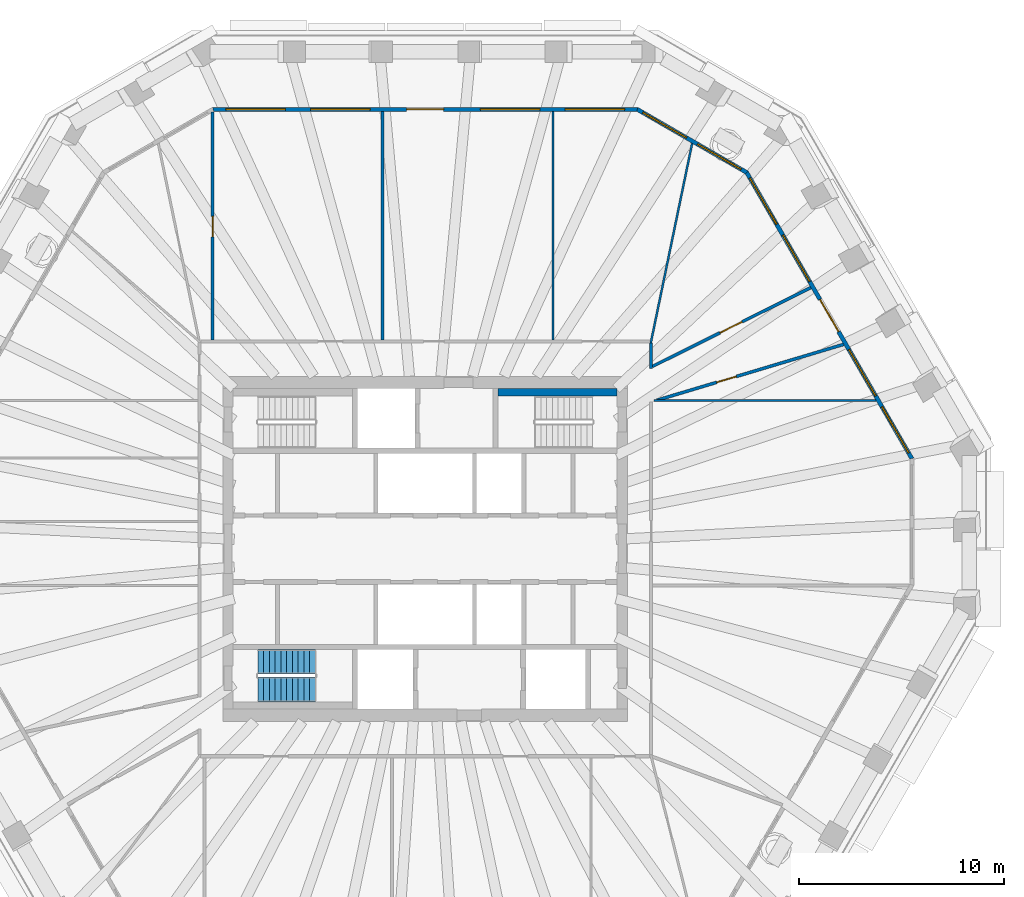
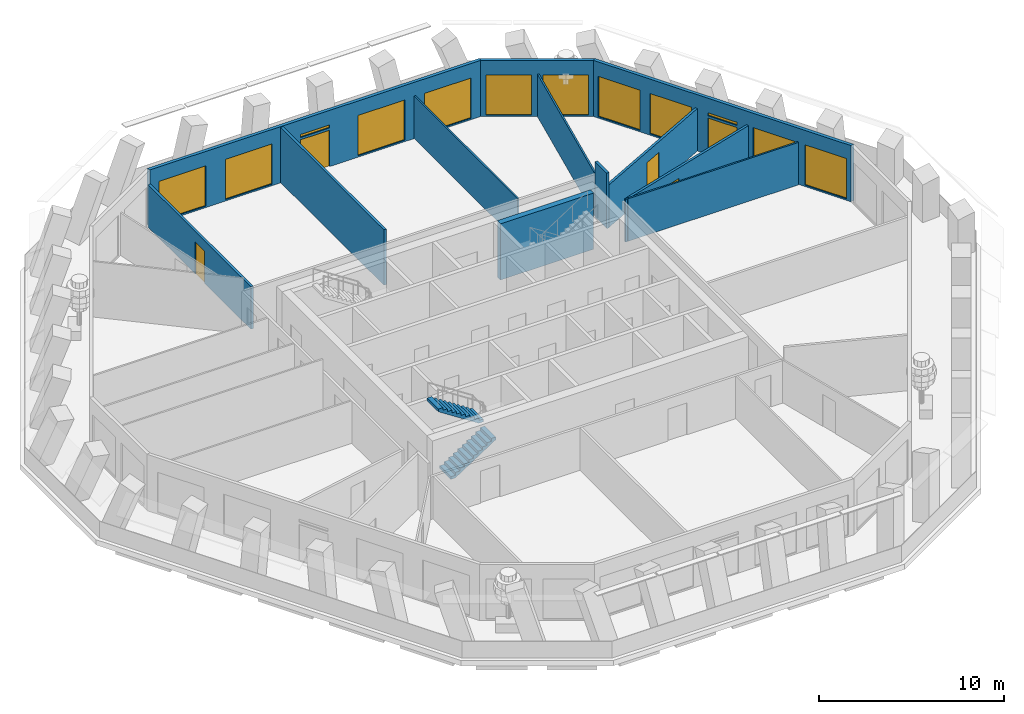
# One storey, part 7 of 12: 12 walls, 12 windows, 5 doors, 2 stair flights, 17 openings, 1 element without a shape of its own.
"""IFC4 building model written with IfcOpenShell, lengths in metres."""

import ifcopenshell
import ifcopenshell.guid

model = None  # the IFC model being written
_history = None  # IfcOwnerHistory: only IFC2X3 demands one
_inside = {}  # id of a spatial element -> (the spatial element, [elements in it])
_under = {}  # id of a project, library or spatial element -> (it, [spatial elements below it])
_declared = {}  # id of a project -> (the project, [libraries it declares])
_typed = {}  # id of a type object -> (the type object, [elements of that type])
_made_of = {}  # id of a material, layer set ... -> (it, [elements and type objects made of it])


def new_model(schema):
    """Start an empty IFC model of exactly this schema.

    Asked for "IFC4X3", IfcOpenShell would pick the latest addendum, in which some entities
    have other attributes; the version numbers below select the first issue.
    IFC2X3 requires an IfcOwnerHistory on every rooted entity: one is made here for all.
    """
    global model, _history
    if schema == "IFC4X3":
        model = ifcopenshell.file(schema_version=(4, 3, 0, 0))
    else:
        model = ifcopenshell.file(schema=schema)
    _inside.clear()
    _under.clear()
    _declared.clear()
    _typed.clear()
    _made_of.clear()
    _history = None
    if model.schema == "IFC2X3":
        org = make("IfcOrganization", Name="unknown")
        user = make(
            "IfcPersonAndOrganization",
            ThePerson=make("IfcPerson", FamilyName="unknown"),
            TheOrganization=org,
        )
        app = make(
            "IfcApplication",
            ApplicationDeveloper=org,
            Version="unknown",
            ApplicationFullName="unknown",
            ApplicationIdentifier="unknown",
        )
        _history = make(
            "IfcOwnerHistory",
            OwningUser=user,
            OwningApplication=app,
            ChangeAction="ADDED",
            CreationDate=0,
        )
    return model


def make(cls, **values):
    """One entity of the class cls with the attributes given. An attribute that is None is left unset."""
    return model.create_entity(
        cls, **{name: value for name, value in values.items() if value is not None}
    )


def rooted(cls, **values):
    """An entity with a GlobalId (a new one), such as an element, a storey or a relation."""
    return make(cls, GlobalId=ifcopenshell.guid.new(), OwnerHistory=_history, **values)


def si_unit(unit_type, name, prefix=None):
    """IfcSIUnit, for example si_unit("LENGTHUNIT", "METRE", prefix="MILLI")."""
    return make("IfcSIUnit", UnitType=unit_type, Prefix=prefix, Name=name)


def assignment(units):
    """IfcUnitAssignment: the units of a project."""
    return None if units is None else make("IfcUnitAssignment", Units=units)


def point(xyz):
    """IfcCartesianPoint."""
    return None if xyz is None else make("IfcCartesianPoint", Coordinates=xyz)


def direction(xyz):
    """IfcDirection."""
    return None if xyz is None else make("IfcDirection", DirectionRatios=xyz)


def frame(location, z_axis=None, x_axis=None):
    """IfcAxis2Placement3D, a coordinate frame: its origin and axes. An axis left out is left unset."""
    return make(
        "IfcAxis2Placement3D",
        Location=point(location),
        Axis=direction(z_axis),
        RefDirection=direction(x_axis),
    )


def frame_2d(location, x_axis=None):
    """IfcAxis2Placement2D, a coordinate frame in the plane: its origin and x axis."""
    return make(
        "IfcAxis2Placement2D", Location=point(location), RefDirection=direction(x_axis)
    )


def origin():
    """The frame at (0, 0, 0) with its axes left unset."""
    return frame((0.0, 0.0, 0.0))


def place(relative_to, where):
    """IfcLocalPlacement: puts the frame where relative to a parent placement (None: the world)."""
    return make(
        "IfcLocalPlacement", PlacementRelTo=relative_to, RelativePlacement=where
    )


def context(
    kind, dimensions, precision=None, world=None, true_north=None, identifier=None
):
    """IfcGeometricRepresentationContext, for example the 3D "Model" context."""
    return make(
        "IfcGeometricRepresentationContext",
        ContextIdentifier=identifier,
        ContextType=kind,
        CoordinateSpaceDimension=dimensions,
        Precision=precision,
        WorldCoordinateSystem=world,
        TrueNorth=true_north,
    )


def subcontext(parent, identifier, kind, view, scale=None):
    """IfcGeometricRepresentationSubContext, for example "Body" below "Model"."""
    return make(
        "IfcGeometricRepresentationSubContext",
        ContextIdentifier=identifier,
        ContextType=kind,
        ParentContext=parent,
        TargetScale=scale,
        TargetView=view,
    )


def project(units=None, contexts=None):
    """IfcProject with its units and contexts."""
    return rooted(
        "IfcProject",
        Name="project",
        RepresentationContexts=contexts,
        UnitsInContext=assignment(units),
    )


def spatial(cls, under=None, at=None, **own):
    """A site, building, storey or space (cls), placed at a placement, below another one or the project."""
    s = rooted(cls, ObjectPlacement=at, **own)
    if under is not None:
        _under.setdefault(under.id(), (under, []))[1].append(s)
    return s


def polyline(points):
    """IfcPolyline through the points."""
    return make("IfcPolyline", Points=[point(p) for p in points])


def profile(cls, at=None, kind="AREA", **sizes):
    """A parametric profile (cls). Its sizes go by their IFC names, for example OverallWidth=200.0."""
    return make(cls, ProfileType=kind, Position=at, **sizes)


def rectangle(**sizes):
    """IfcRectangleProfileDef."""
    return profile("IfcRectangleProfileDef", **sizes)


def outline(outer, holes=None, kind="AREA"):
    """IfcArbitraryClosedProfileDef: a profile drawn as a closed curve; with holes, ...WithVoids."""
    if holes is None:
        return make("IfcArbitraryClosedProfileDef", ProfileType=kind, OuterCurve=outer)
    return make(
        "IfcArbitraryProfileDefWithVoids",
        ProfileType=kind,
        OuterCurve=outer,
        InnerCurves=holes,
    )


def extrude(swept, where, along, depth):
    """IfcExtrudedAreaSolid: the profile swept, set in the frame where, extruded along a direction by depth."""
    return make(
        "IfcExtrudedAreaSolid",
        SweptArea=swept,
        Position=where,
        ExtrudedDirection=direction(along),
        Depth=depth,
    )


def shape(context_of_items, identifier, shape_type, items):
    """IfcShapeRepresentation: the items that make up one representation, for example the "Body"."""
    return make(
        "IfcShapeRepresentation",
        ContextOfItems=context_of_items,
        RepresentationIdentifier=identifier,
        RepresentationType=shape_type,
        Items=items,
    )


def material(Name=None, Category=None):
    """IfcMaterial."""
    return make("IfcMaterial", Name=Name, Category=Category)


def layer(
    of_material, thickness, ventilated=None, Name=None, Category=None, Priority=None
):
    """IfcMaterialLayer: one layer of a wall or slab, of a material (None: an air gap)."""
    return make(
        "IfcMaterialLayer",
        Material=of_material,
        LayerThickness=thickness,
        IsVentilated=ventilated,
        Name=Name,
        Category=Category,
        Priority=Priority,
    )


def layer_set(layers, Name=None):
    """IfcMaterialLayerSet."""
    return make("IfcMaterialLayerSet", MaterialLayers=layers, LayerSetName=Name)


def made_of(thing, what):
    """Note that an element or type object is made of a material, layer set ...; save() writes the relation."""
    if what is not None:
        _made_of.setdefault(what.id(), (what, []))[1].append(thing)
    return thing


def type_object(cls, material=None, **own):
    """A type object (cls), such as IfcWallType, which elements share."""
    return made_of(rooted(cls, **own), material)


def element(
    cls,
    number,
    at=None,
    inside=None,
    cuts=None,
    type_object=None,
    material=None,
    context=None,
    identifier="Body",
    shape_type=None,
    held_by="IfcProductDefinitionShape",
    body=None,
    shapes=None,
    **own,
):
    """One element of the class cls, such as IfcWall. Its Tag is "e" and its number.

    at: its placement. inside: the storey or other place that contains it. cuts: it is an
    opening in that element (IfcRelVoidsElement). A single representation is given by context,
    identifier, shape_type and body (its items); several are given by shapes. held_by: the class
    of the entity that holds the representations. save() writes the other relations.
    """
    e = rooted(cls, Tag="e%d" % number, ObjectPlacement=at, **own)
    if body is not None:
        shapes = [shape(context, identifier, shape_type, body)]
    if shapes is not None:
        e.Representation = make(held_by, Representations=shapes)
    if inside is not None:
        _inside.setdefault(inside.id(), (inside, []))[1].append(e)
    if cuts is not None:
        rooted(
            "IfcRelVoidsElement", RelatingBuildingElement=cuts, RelatedOpeningElement=e
        )
    if type_object is not None:
        _typed.setdefault(type_object.id(), (type_object, []))[1].append(e)
    return made_of(e, material)


def fill(opening, filler):
    """IfcRelFillsElement: the door or window that sits in an opening."""
    return rooted(
        "IfcRelFillsElement",
        RelatingOpeningElement=opening,
        RelatedBuildingElement=filler,
    )


def aggregate(whole, parts):
    """IfcRelAggregates: a whole, such as a stair, and the parts it consists of."""
    return rooted("IfcRelAggregates", RelatingObject=whole, RelatedObjects=parts)


def save(model, path):
    """Write the relations noted so far, then the file.

    IfcRelAggregates (storeys below a building ...), IfcRelContainedInSpatialStructure (elements
    in a storey), IfcRelDefinesByType, IfcRelAssociatesMaterial and IfcRelDeclares: one each for
    every whole, place, type object, material and project.
    """
    for whole, parts in _under.values():
        aggregate(whole, parts)
    for where, things in _inside.values():
        rooted(
            "IfcRelContainedInSpatialStructure",
            RelatedElements=things,
            RelatingStructure=where,
        )
    for kind, things in _typed.values():
        rooted("IfcRelDefinesByType", RelatedObjects=things, RelatingType=kind)
    for what, things in _made_of.values():
        rooted("IfcRelAssociatesMaterial", RelatedObjects=things, RelatingMaterial=what)
    for by, libraries in _declared.values():
        rooted("IfcRelDeclares", RelatingContext=by, RelatedDefinitions=libraries)
    model.write(path)


model = new_model("IFC4")

# Units and contexts
model_context = context("Model", 3, precision=1e-05, world=origin(), true_north=direction((0.0, 1.0)))
body_context = subcontext(model_context, "Body", "Model", "MODEL_VIEW")
ifc_project = project(units=[si_unit("LENGTHUNIT", "METRE"), si_unit("AREAUNIT", "SQUARE_METRE"), si_unit("VOLUMEUNIT", "CUBIC_METRE"), si_unit("PLANEANGLEUNIT", "RADIAN"), si_unit("MASSUNIT", "GRAM", prefix="KILO")], contexts=[model_context])

# Site, building, storey
site_placement = place(None, origin())
site = spatial("IfcSite", under=ifc_project, at=site_placement, CompositionType="ELEMENT")
building_placement = place(site_placement, origin())
building = spatial("IfcBuilding", under=site, at=building_placement, Name="Frailejon Research Tower", CompositionType="ELEMENT")
storey_placement = place(building_placement, frame((0.0, 0.0, 253.39990234375)))
storey = spatial("IfcBuildingStorey", under=building, at=storey_placement, Name="L55", CompositionType="ELEMENT", Elevation=253.39990234375)

# Wall, opening, door
ifc_material_1 = material(Name="Gypsum board and masonry partition", Category="masonry")
ifc_layer_1 = layer(ifc_material_1, 0.14990234375)
ifc_layer_set_1 = layer_set([ifc_layer_1], Name="Corridor wall EI 60, gypsum on steel studs 150")
wall_type_1 = type_object("IfcWallType", Name="Corridor wall EI 60, gypsum on steel studs 150", PredefinedType="PARTITIONING", material=ifc_layer_set_1)
wall_1_placement = place(storey_placement, frame((11.27490234375, 7.232177734375, 0.0), z_axis=(0.0, 0.0, 1.0), x_axis=(0.958053835168, 0.286588291665, 0.0)))
wall_1 = element("IfcWall", 1, at=wall_1_placement, inside=storey, type_object=wall_type_1, Name="T:IW:L55:001", PredefinedType="PARTITIONING", context=body_context, shape_type="SweptSolid", body=[
    extrude(rectangle(XDim=9.49609375, YDim=0.14990234375, at=frame_2d((4.748046875, 0.0))), origin(), (0.0, 0.0, 1.0), 2.800048828125),
])
opening_1_placement = place(wall_1_placement, frame((3.046142578125, 0.0, 0.0)))
opening_1 = element("IfcOpeningElement", 2, at=opening_1_placement, cuts=wall_1, Name="Opening D2072", PredefinedType="OPENING", context=body_context, shape_type="SweptSolid", body=[
    extrude(rectangle(XDim=1.0, YDim=2.10009765625, at=frame_2d((0.5, 1.050048828125))), frame((0.0, 0.0849609375, 0.0), z_axis=(0.0, -1.0, 0.0), x_axis=(1.0, 0.0, 0.0)), (0.0, 0.0, 1.0), 0.169921875),
])
ifc_material_2 = material(Name="Timber door leaf", Category="wood")
door_type_1 = type_object("IfcDoorType", Name="Door single leaf, timber, steel frame 1000", OperationType="NOTDEFINED", PredefinedType="DOOR", material=ifc_material_2)
door_1_placement = place(opening_1_placement, origin())
door_1 = element("IfcDoor", 3, at=door_1_placement, inside=storey, type_object=door_type_1, Name="D2072", OperationType="SINGLE_SWING_RIGHT", OverallHeight=2.10009765625, OverallWidth=1.0, PredefinedType="DOOR", context=body_context, shape_type="SweptSolid", body=[
    extrude(rectangle(XDim=1.0, YDim=2.10009765625, at=frame_2d((0.5, 1.050048828125))), frame((0.0, 0.02490234375, 0.0), z_axis=(0.0, -1.0, 0.0), x_axis=(1.0, 0.0, 0.0)), (0.0, 0.0, 1.0), 0.050048828125),
])
fill(opening_1, door_1)

wall_2_placement = place(storey_placement, frame((11.067138671875, 8.88330078125, 0.0), z_axis=(0.0, 0.0, 1.0), x_axis=(0.895349636701, 0.445363927658, 0.0)))
wall_2 = element("IfcWall", 4, at=wall_2_placement, inside=storey, type_object=wall_type_1, Name="T:IW:L55:002", PredefinedType="PARTITIONING", context=body_context, shape_type="SweptSolid", body=[
    extrude(rectangle(XDim=8.6103515625, YDim=0.14990234375, at=frame_2d((4.30517578125, 0.0))), origin(), (0.0, 0.0, 1.0), 2.800048828125),
])
opening_2_placement = place(wall_2_placement, frame((3.667724609375, 0.0, 0.0)))
opening_2 = element("IfcOpeningElement", 5, at=opening_2_placement, cuts=wall_2, Name="Opening D2073", PredefinedType="OPENING", context=body_context, shape_type="SweptSolid", body=[
    extrude(rectangle(XDim=1.199951171875, YDim=2.10009765625, at=frame_2d((0.60009765625, 1.050048828125))), frame((0.0, 0.0849609375, 0.0), z_axis=(0.0, -1.0, 0.0), x_axis=(1.0, 0.0, 0.0)), (0.0, 0.0, 1.0), 0.169921875),
])
ifc_material_3 = material(Name="Timber door leaf", Category="wood")
door_type_2 = type_object("IfcDoorType", Name="Door single leaf, timber, steel frame 1200", OperationType="NOTDEFINED", PredefinedType="DOOR", material=ifc_material_3)
door_2_placement = place(opening_2_placement, origin())
door_2 = element("IfcDoor", 6, at=door_2_placement, inside=storey, type_object=door_type_2, Name="D2073", OperationType="DOUBLE_DOOR_SINGLE_SWING", OverallHeight=2.10009765625, OverallWidth=1.199951171875, PredefinedType="DOOR", context=body_context, shape_type="SweptSolid", body=[
    extrude(rectangle(XDim=1.199951171875, YDim=2.10009765625, at=frame_2d((0.60009765625, 1.050048828125))), frame((0.0, 0.02490234375, 0.0), z_axis=(0.0, -1.0, 0.0), x_axis=(1.0, 0.0, 0.0)), (0.0, 0.0, 1.0), 0.050048828125),
])
fill(opening_2, door_2)

# Walls
wall_3_placement = place(storey_placement, frame((11.0, 8.77490234375, 0.0), z_axis=(0.0, 0.0, 1.0), x_axis=(0.0, 1.0, 0.0)))
element("IfcWall", 7, at=wall_3_placement, inside=storey, type_object=wall_type_1, Name="T:IW:L55:006", PredefinedType="PARTITIONING", context=body_context, shape_type="SweptSolid", body=[
    extrude(rectangle(XDim=1.25, YDim=0.14990234375, at=frame_2d((0.625, 0.0))), origin(), (0.0, 0.0, 1.0), 3.650146484375),
])
ifc_material_4 = material(Name="Gypsum board and masonry partition", Category="masonry")
ifc_layer_2 = layer(ifc_material_4, 0.14990234375)
ifc_layer_set_2 = layer_set([ifc_layer_2], Name="Laboratory partition, blockwork 150")
wall_type_2 = type_object("IfcWallType", Name="Laboratory partition, blockwork 150", PredefinedType="PARTITIONING", material=ifc_layer_set_2)
wall_4_placement = place(storey_placement, frame((-2.07080078125, 10.175048828125, 0.0), z_axis=(0.0, 0.0, 1.0), x_axis=(0.0, 1.0, 0.0)))
element("IfcWall", 8, at=wall_4_placement, inside=storey, type_object=wall_type_2, Name="T:IW:L55:012", PredefinedType="PARTITIONING", context=body_context, shape_type="SweptSolid", body=[
    extrude(rectangle(XDim=11.125, YDim=0.14990234375, at=frame_2d((5.5625, 0.0))), origin(), (0.0, 0.0, 1.0), 3.650146484375),
])

# Wall, opening, door
wall_5_placement = place(storey_placement, frame((-10.353759765625, 10.175048828125, 0.0), z_axis=(0.0, 0.0, 1.0), x_axis=(0.0, 1.0, 0.0)))
wall_5 = element("IfcWall", 9, at=wall_5_placement, inside=storey, type_object=wall_type_2, Name="T:IW:L55:013", PredefinedType="PARTITIONING", context=body_context, shape_type="SweptSolid", body=[
    extrude(rectangle(XDim=11.093994140625, YDim=0.14990234375, at=frame_2d((5.546875, 0.0))), origin(), (0.0, 0.0, 1.0), 2.800048828125),
])
opening_3_placement = place(wall_5_placement, frame((5.009521484375, 0.0, 0.0)))
opening_3 = element("IfcOpeningElement", 10, at=opening_3_placement, cuts=wall_5, Name="Opening D2077", PredefinedType="OPENING", context=body_context, shape_type="SweptSolid", body=[
    extrude(rectangle(XDim=1.0, YDim=2.10009765625, at=frame_2d((0.5, 1.050048828125))), frame((0.0, 0.0849609375, 0.0), z_axis=(0.0, -1.0, 0.0), x_axis=(1.0, 0.0, 0.0)), (0.0, 0.0, 1.0), 0.169921875),
])
door_3_placement = place(opening_3_placement, origin())
door_3 = element("IfcDoor", 11, at=door_3_placement, inside=storey, type_object=door_type_1, Name="D2077", OperationType="SINGLE_SWING_LEFT", OverallHeight=2.10009765625, OverallWidth=1.0, PredefinedType="DOOR", context=body_context, shape_type="SweptSolid", body=[
    extrude(rectangle(XDim=1.0, YDim=2.10009765625, at=frame_2d((0.5, 1.050048828125))), frame((0.0, 0.02490234375, 0.0), z_axis=(0.0, -1.0, 0.0), x_axis=(1.0, 0.0, 0.0)), (0.0, 0.0, 1.0), 0.050048828125),
])
fill(opening_3, door_3)

# Walls
ifc_material_5 = material(Name="Gypsum board and masonry partition", Category="masonry")
ifc_layer_3 = layer(ifc_material_5, 0.10009765625)
ifc_layer_set_3 = layer_set([ifc_layer_3], Name="Partition, gypsum on steel studs 100")
wall_type_3 = type_object("IfcWallType", Name="Partition, gypsum on steel studs 100", PredefinedType="PARTITIONING", material=ifc_layer_set_3)
wall_6_placement = place(storey_placement, frame((11.15185546875, 7.218017578125, 0.0), z_axis=(0.0, 0.0, 1.0), x_axis=(1.0, 0.0, 0.0)))
element("IfcWall", 12, at=wall_6_placement, inside=storey, type_object=wall_type_3, Name="T:IW:L55:018", PredefinedType="PARTITIONING", context=body_context, shape_type="SweptSolid", body=[
    extrude(rectangle(XDim=10.800048828125, YDim=0.10009765625, at=frame_2d((5.39990234375, 0.0))), origin(), (0.0, 0.0, 1.0), 2.800048828125),
])
wall_7_placement = place(storey_placement, frame((10.98486328125, 10.026611328125, 0.0), z_axis=(0.0, 0.0, 1.0), x_axis=(0.202948951039, 0.979189319423, 0.0)))
element("IfcWall", 13, at=wall_7_placement, inside=storey, type_object=wall_type_3, Name="T:IW:L55:019", PredefinedType="PARTITIONING", context=body_context, shape_type="SweptSolid", body=[
    extrude(rectangle(XDim=9.922119140625, YDim=0.10009765625, at=frame_2d((4.9609375, 0.0))), origin(), (0.0, 0.0, 1.0), 2.800048828125),
])
wall_8_placement = place(storey_placement, frame((6.21240234375, 10.175048828125, 0.0), z_axis=(0.0, 0.0, 1.0), x_axis=(0.0, 1.0, 0.0)))
element("IfcWall", 14, at=wall_8_placement, inside=storey, type_object=wall_type_3, Name="T:IW:L55:020", PredefinedType="PARTITIONING", context=body_context, shape_type="SweptSolid", body=[
    extrude(rectangle(XDim=11.125, YDim=0.10009765625, at=frame_2d((5.5625, 0.0))), origin(), (0.0, 0.0, 1.0), 2.800048828125),
])
ifc_material_6 = material(Name="Concrete C50/60", Category="concrete")
ifc_layer_4 = layer(ifc_material_6, 0.35009765625)
ifc_layer_set_4 = layer_set([ifc_layer_4], Name="Shaft wall 350 C50/60")
wall_type_4 = type_object("IfcWallType", Name="Shaft wall 350 C50/60", PredefinedType="SOLIDWALL", material=ifc_layer_set_4)
wall_9_placement = place(storey_placement, frame((3.550048828125, 7.625, 0.0), z_axis=(0.0, 0.0, 1.0), x_axis=(1.0, 0.0, 0.0)))
element("IfcWall", 15, at=wall_9_placement, inside=storey, type_object=wall_type_4, Name="Shaft wall", PredefinedType="SOLIDWALL", context=body_context, shape_type="SweptSolid", body=[
    extrude(rectangle(XDim=5.800048828125, YDim=0.35009765625, at=frame_2d((2.89990234375, 0.0))), origin(), (0.0, 0.0, 1.0), 3.7001953125),
])

# Wall, openings, door, windows
ifc_material_7 = material(Name="Concrete C40/50 precast window wall panel", Category="concrete")
ifc_layer_5 = layer(ifc_material_7, 0.199951171875)
ifc_layer_set_5 = layer_set([ifc_layer_5], Name="Window wall 200")
wall_type_5 = type_object("IfcWallType", Name="Window wall 200", PredefinedType="SOLIDWALL", material=ifc_layer_set_5)
wall_10_placement = place(storey_placement, frame((23.6962890625, 4.396484375, 0.0), z_axis=(0.0, 0.0, 1.0), x_axis=(-0.500000613642, 0.866025049498, 0.0)))
wall_10 = element("IfcWall", 16, at=wall_10_placement, inside=storey, type_object=wall_type_5, Name="Exterior wall L55", PredefinedType="SOLIDWALL", context=body_context, shape_type="SweptSolid", body=[
    extrude(outline(polyline([(-0.02685546875, -0.10009765625), (0.981689453125, -0.10009765625), (1.989990234375, -0.10009765625), (2.99853515625, -0.10009765625), (4.0068359375, -0.10009765625), (5.015380859375, -0.10009765625), (6.02392578125, -0.10009765625), (7.0322265625, -0.10009765625), (8.040771484375, -0.10009765625), (9.04931640625, -0.10009765625), (10.0576171875, -0.10009765625), (11.066162109375, -0.10009765625), (12.07470703125, -0.10009765625), (13.0830078125, -0.10009765625), (14.091552734375, -0.10009765625), (15.099853515625, -0.10009765625), (16.1083984375, -0.10009765625), (16.0546875, 0.10009765625), (15.052978515625, 0.10009765625), (14.05126953125, 0.10009765625), (13.049560546875, 0.10009765625), (12.0478515625, 0.10009765625), (11.0458984375, 0.10009765625), (10.044189453125, 0.10009765625), (9.04248046875, 0.10009765625), (8.040771484375, 0.10009765625), (7.0390625, 0.10009765625), (6.037353515625, 0.10009765625), (5.03564453125, 0.10009765625), (4.03369140625, 0.10009765625), (3.031982421875, 0.10009765625), (2.0302734375, 0.10009765625), (1.028564453125, 0.10009765625), (0.02685546875, 0.10009765625), (-0.02685546875, -0.10009765625)])), origin(), (0.0, 0.0, 1.0), 3.7001953125),
])
opening_4_placement = place(wall_10_placement, frame((0.30810546875, 0.0, 0.10009765625)))
opening_4 = element("IfcOpeningElement", 17, at=opening_4_placement, cuts=wall_10, Name="Opening W18", PredefinedType="OPENING", context=body_context, shape_type="SweptSolid", body=[
    extrude(rectangle(XDim=2.60009765625, YDim=2.64990234375, at=frame_2d((1.300048828125, 1.324951171875))), frame((0.0, 0.10986328125, 0.0), z_axis=(0.0, -1.0, 0.0), x_axis=(1.0, 0.0, 0.0)), (0.0, 0.0, 1.0), 0.219970703125),
])
opening_5_placement = place(wall_10_placement, frame((3.5244140625, 0.0, 0.10009765625)))
opening_5 = element("IfcOpeningElement", 18, at=opening_5_placement, cuts=wall_10, Name="Opening W18", PredefinedType="OPENING", context=body_context, shape_type="SweptSolid", body=[
    extrude(rectangle(XDim=2.60009765625, YDim=2.64990234375, at=frame_2d((1.300048828125, 1.324951171875))), frame((0.0, 0.10986328125, 0.0), z_axis=(0.0, -1.0, 0.0), x_axis=(1.0, 0.0, 0.0)), (0.0, 0.0, 1.0), 0.219970703125),
])
opening_6_placement = place(wall_10_placement, frame((7.140869140625, 0.0, 0.0)))
opening_6 = element("IfcOpeningElement", 19, at=opening_6_placement, cuts=wall_10, Name="Opening LG55-1", PredefinedType="OPENING", context=body_context, shape_type="SweptSolid", body=[
    extrude(rectangle(XDim=1.800048828125, YDim=2.39990234375, at=frame_2d((0.89990234375, 1.199951171875))), frame((0.0, 0.10986328125, 0.0), z_axis=(0.0, -1.0, 0.0), x_axis=(1.0, 0.0, 0.0)), (0.0, 0.0, 1.0), 0.219970703125),
])
opening_7_placement = place(wall_10_placement, frame((7.140869140625, 0.0, 2.550048828125)))
opening_7 = element("IfcOpeningElement", 20, at=opening_7_placement, cuts=wall_10, Name="Opening W19", PredefinedType="OPENING", context=body_context, shape_type="SweptSolid", body=[
    extrude(rectangle(XDim=1.800048828125, YDim=0.199951171875, at=frame_2d((0.89990234375, 0.10009765625))), frame((0.0, 0.10986328125, 0.0), z_axis=(0.0, -1.0, 0.0), x_axis=(1.0, 0.0, 0.0)), (0.0, 0.0, 1.0), 0.219970703125),
])
opening_8_placement = place(wall_10_placement, frame((9.957275390625, 0.0, 0.10009765625)))
opening_8 = element("IfcOpeningElement", 21, at=opening_8_placement, cuts=wall_10, Name="Opening W18", PredefinedType="OPENING", context=body_context, shape_type="SweptSolid", body=[
    extrude(rectangle(XDim=2.60009765625, YDim=2.64990234375, at=frame_2d((1.300048828125, 1.324951171875))), frame((0.0, 0.10986328125, 0.0), z_axis=(0.0, -1.0, 0.0), x_axis=(1.0, 0.0, 0.0)), (0.0, 0.0, 1.0), 0.219970703125),
])
opening_9_placement = place(wall_10_placement, frame((13.173583984375, 0.0, 0.10009765625)))
opening_9 = element("IfcOpeningElement", 22, at=opening_9_placement, cuts=wall_10, Name="Opening W18", PredefinedType="OPENING", context=body_context, shape_type="SweptSolid", body=[
    extrude(rectangle(XDim=2.60009765625, YDim=2.64990234375, at=frame_2d((1.300048828125, 1.324951171875))), frame((0.0, 0.10986328125, 0.0), z_axis=(0.0, -1.0, 0.0), x_axis=(1.0, 0.0, 0.0)), (0.0, 0.0, 1.0), 0.219970703125),
])
ifc_material_8 = material(Name="Aluminium framed glazed door leaf", Category="aluminium")
door_type_3 = type_object("IfcDoorType", Name="Loggia door 1800x2400", OperationType="DOUBLE_DOOR_SINGLE_SWING", PredefinedType="DOOR", material=ifc_material_8)
door_4_placement = place(opening_6_placement, origin())
door_4 = element("IfcDoor", 23, at=door_4_placement, inside=storey, type_object=door_type_3, Name="Door LG55-1", OperationType="DOUBLE_DOOR_SINGLE_SWING", OverallHeight=2.39990234375, OverallWidth=1.800048828125, PredefinedType="DOOR", context=body_context, shape_type="SweptSolid", body=[
    extrude(rectangle(XDim=1.800048828125, YDim=2.39990234375, at=frame_2d((0.89990234375, 1.199951171875))), frame((0.0, 0.02490234375, 0.0), z_axis=(0.0, -1.0, 0.0), x_axis=(1.0, 0.0, 0.0)), (0.0, 0.0, 1.0), 0.050048828125),
])
fill(opening_6, door_4)
ifc_material_9 = material(Name="Aluminium framed double glazing", Category="aluminium")
window_type_1 = type_object("IfcWindowType", Name="Window 1800x200", PartitioningType="SINGLE_PANEL", PredefinedType="WINDOW", material=ifc_material_9)
window_1_placement = place(opening_7_placement, origin())
window_1 = element("IfcWindow", 24, at=window_1_placement, inside=storey, type_object=window_type_1, Name="Window L55", OverallHeight=0.199951171875, OverallWidth=1.800048828125, PartitioningType="SINGLE_PANEL", PredefinedType="WINDOW", context=body_context, shape_type="SweptSolid", body=[
    extrude(rectangle(XDim=1.800048828125, YDim=0.199951171875, at=frame_2d((0.89990234375, 0.10009765625))), frame((0.0, 0.030029296875, 0.0), z_axis=(0.0, -1.0, 0.0), x_axis=(1.0, 0.0, 0.0)), (0.0, 0.0, 1.0), 0.06005859375),
])
fill(opening_7, window_1)
ifc_material_10 = material(Name="Aluminium framed double glazing", Category="aluminium")
window_type_2 = type_object("IfcWindowType", Name="Window 2600x2650", PartitioningType="SINGLE_PANEL", PredefinedType="WINDOW", material=ifc_material_10)
window_2_placement = place(opening_4_placement, origin())
window_2 = element("IfcWindow", 25, at=window_2_placement, inside=storey, type_object=window_type_2, Name="Window L55", OverallHeight=2.64990234375, OverallWidth=2.60009765625, PartitioningType="SINGLE_PANEL", PredefinedType="WINDOW", context=body_context, shape_type="SweptSolid", body=[
    extrude(rectangle(XDim=2.60009765625, YDim=2.64990234375, at=frame_2d((1.300048828125, 1.324951171875))), frame((0.0, 0.030029296875, 0.0), z_axis=(0.0, -1.0, 0.0), x_axis=(1.0, 0.0, 0.0)), (0.0, 0.0, 1.0), 0.06005859375),
])
fill(opening_4, window_2)
window_3_placement = place(opening_5_placement, origin())
window_3 = element("IfcWindow", 26, at=window_3_placement, inside=storey, type_object=window_type_2, Name="Window L55", OverallHeight=2.64990234375, OverallWidth=2.60009765625, PartitioningType="SINGLE_PANEL", PredefinedType="WINDOW", context=body_context, shape_type="SweptSolid", body=[
    extrude(rectangle(XDim=2.60009765625, YDim=2.64990234375, at=frame_2d((1.300048828125, 1.324951171875))), frame((0.0, 0.030029296875, 0.0), z_axis=(0.0, -1.0, 0.0), x_axis=(1.0, 0.0, 0.0)), (0.0, 0.0, 1.0), 0.06005859375),
])
fill(opening_5, window_3)
window_4_placement = place(opening_8_placement, origin())
window_4 = element("IfcWindow", 27, at=window_4_placement, inside=storey, type_object=window_type_2, Name="Window L55", OverallHeight=2.64990234375, OverallWidth=2.60009765625, PartitioningType="SINGLE_PANEL", PredefinedType="WINDOW", context=body_context, shape_type="SweptSolid", body=[
    extrude(rectangle(XDim=2.60009765625, YDim=2.64990234375, at=frame_2d((1.300048828125, 1.324951171875))), frame((0.0, 0.030029296875, 0.0), z_axis=(0.0, -1.0, 0.0), x_axis=(1.0, 0.0, 0.0)), (0.0, 0.0, 1.0), 0.06005859375),
])
fill(opening_8, window_4)
window_5_placement = place(opening_9_placement, origin())
window_5 = element("IfcWindow", 28, at=window_5_placement, inside=storey, type_object=window_type_2, Name="Window L55", OverallHeight=2.64990234375, OverallWidth=2.60009765625, PartitioningType="SINGLE_PANEL", PredefinedType="WINDOW", context=body_context, shape_type="SweptSolid", body=[
    extrude(rectangle(XDim=2.60009765625, YDim=2.64990234375, at=frame_2d((1.300048828125, 1.324951171875))), frame((0.0, 0.030029296875, 0.0), z_axis=(0.0, -1.0, 0.0), x_axis=(1.0, 0.0, 0.0)), (0.0, 0.0, 1.0), 0.06005859375),
])
fill(opening_9, window_5)

# Wall, openings, windows
wall_11_placement = place(storey_placement, frame((15.655517578125, 18.323486328125, 0.0), z_axis=(0.0, 0.0, 1.0), x_axis=(-0.866029647142, 0.499992650217, 0.0)))
wall_11 = element("IfcWall", 29, at=wall_11_placement, inside=storey, type_object=wall_type_5, Name="Exterior wall L55", PredefinedType="SOLIDWALL", context=body_context, shape_type="SweptSolid", body=[
    extrude(outline(polyline([(-0.02685546875, -0.10009765625), (1.007568359375, -0.10009765625), (2.0419921875, -0.10009765625), (3.076416015625, -0.10009765625), (4.11083984375, -0.10009765625), (5.145263671875, -0.10009765625), (6.1796875, -0.10009765625), (6.1259765625, 0.10009765625), (5.109375, 0.10009765625), (4.093017578125, 0.10009765625), (3.076416015625, 0.10009765625), (2.059814453125, 0.10009765625), (1.04345703125, 0.10009765625), (0.02685546875, 0.10009765625), (-0.02685546875, -0.10009765625)])), origin(), (0.0, 0.0, 1.0), 3.7001953125),
])
opening_10_placement = place(wall_11_placement, frame((0.313232421875, 0.0, 0.10009765625)))
opening_10 = element("IfcOpeningElement", 30, at=opening_10_placement, cuts=wall_11, Name="Opening W17", PredefinedType="OPENING", context=body_context, shape_type="SweptSolid", body=[
    extrude(rectangle(XDim=2.449951171875, YDim=2.64990234375, at=frame_2d((1.22509765625, 1.324951171875))), frame((0.0, 0.10986328125, 0.0), z_axis=(0.0, -1.0, 0.0), x_axis=(1.0, 0.0, 0.0)), (0.0, 0.0, 1.0), 0.219970703125),
])
opening_11_placement = place(wall_11_placement, frame((3.3896484375, 0.0, 0.10009765625)))
opening_11 = element("IfcOpeningElement", 31, at=opening_11_placement, cuts=wall_11, Name="Opening W17", PredefinedType="OPENING", context=body_context, shape_type="SweptSolid", body=[
    extrude(rectangle(XDim=2.449951171875, YDim=2.64990234375, at=frame_2d((1.22509765625, 1.324951171875))), frame((0.0, 0.10986328125, 0.0), z_axis=(0.0, -1.0, 0.0), x_axis=(1.0, 0.0, 0.0)), (0.0, 0.0, 1.0), 0.219970703125),
])
ifc_material_11 = material(Name="Aluminium framed double glazing", Category="aluminium")
window_type_3 = type_object("IfcWindowType", Name="Window 2450x2650", PartitioningType="SINGLE_PANEL", PredefinedType="WINDOW", material=ifc_material_11)
window_6_placement = place(opening_10_placement, origin())
window_6 = element("IfcWindow", 32, at=window_6_placement, inside=storey, type_object=window_type_3, Name="Window L55", OverallHeight=2.64990234375, OverallWidth=2.449951171875, PartitioningType="SINGLE_PANEL", PredefinedType="WINDOW", context=body_context, shape_type="SweptSolid", body=[
    extrude(rectangle(XDim=2.449951171875, YDim=2.64990234375, at=frame_2d((1.22509765625, 1.324951171875))), frame((0.0, 0.030029296875, 0.0), z_axis=(0.0, -1.0, 0.0), x_axis=(1.0, 0.0, 0.0)), (0.0, 0.0, 1.0), 0.06005859375),
])
fill(opening_10, window_6)
window_7_placement = place(opening_11_placement, origin())
window_7 = element("IfcWindow", 33, at=window_7_placement, inside=storey, type_object=window_type_3, Name="Window L55", OverallHeight=2.64990234375, OverallWidth=2.449951171875, PartitioningType="SINGLE_PANEL", PredefinedType="WINDOW", context=body_context, shape_type="SweptSolid", body=[
    extrude(rectangle(XDim=2.449951171875, YDim=2.64990234375, at=frame_2d((1.22509765625, 1.324951171875))), frame((0.0, 0.030029296875, 0.0), z_axis=(0.0, -1.0, 0.0), x_axis=(1.0, 0.0, 0.0)), (0.0, 0.0, 1.0), 0.06005859375),
])
fill(opening_11, window_7)

# Wall, openings, door, windows
wall_12_placement = place(storey_placement, frame((10.326904296875, 21.39990234375, 0.0), z_axis=(0.0, 0.0, 1.0), x_axis=(-1.0, 0.0, 0.0)))
wall_12 = element("IfcWall", 34, at=wall_12_placement, inside=storey, type_object=wall_type_5, Name="Exterior wall L55", PredefinedType="SOLIDWALL", context=body_context, shape_type="SweptSolid", body=[
    extrude(outline(polyline([(-0.02685546875, -0.10009765625), (1.008544921875, -0.10009765625), (2.0439453125, -0.10009765625), (3.079345703125, -0.10009765625), (4.11474609375, -0.10009765625), (5.14990234375, -0.10009765625), (6.185302734375, -0.10009765625), (7.220703125, -0.10009765625), (8.256103515625, -0.10009765625), (9.29150390625, -0.10009765625), (10.326904296875, -0.10009765625), (11.3623046875, -0.10009765625), (12.397705078125, -0.10009765625), (13.43310546875, -0.10009765625), (14.468505859375, -0.10009765625), (15.50390625, -0.10009765625), (16.5390625, -0.10009765625), (17.574462890625, -0.10009765625), (18.60986328125, -0.10009765625), (19.645263671875, -0.10009765625), (20.6806640625, -0.10009765625), (20.626953125, 0.10009765625), (19.596923828125, 0.10009765625), (18.56689453125, 0.10009765625), (17.536865234375, 0.10009765625), (16.5068359375, 0.10009765625), (15.47705078125, 0.10009765625), (14.447021484375, 0.10009765625), (13.4169921875, 0.10009765625), (12.386962890625, 0.10009765625), (11.35693359375, 0.10009765625), (10.326904296875, 0.10009765625), (9.296875, 0.10009765625), (8.266845703125, 0.10009765625), (7.23681640625, 0.10009765625), (6.206787109375, 0.10009765625), (5.1767578125, 0.10009765625), (4.14697265625, 0.10009765625), (3.116943359375, 0.10009765625), (2.0869140625, 0.10009765625), (1.056884765625, 0.10009765625), (0.02685546875, 0.10009765625), (-0.02685546875, -0.10009765625)])), origin(), (0.0, 0.0, 1.0), 3.7001953125),
])
opening_12_placement = place(wall_12_placement, frame((0.615478515625, 0.0, 0.10009765625)))
opening_12 = element("IfcOpeningElement", 35, at=opening_12_placement, cuts=wall_12, Name="Opening W20", PredefinedType="OPENING", context=body_context, shape_type="SweptSolid", body=[
    extrude(rectangle(XDim=2.89990234375, YDim=2.64990234375, at=frame_2d((1.449951171875, 1.324951171875))), frame((0.0, 0.10986328125, 0.0), z_axis=(0.0, -1.0, 0.0), x_axis=(1.0, 0.0, 0.0)), (0.0, 0.0, 1.0), 0.219970703125),
])
opening_13_placement = place(wall_12_placement, frame((4.74609375, 0.0, 0.10009765625)))
opening_13 = element("IfcOpeningElement", 36, at=opening_13_placement, cuts=wall_12, Name="Opening W20", PredefinedType="OPENING", context=body_context, shape_type="SweptSolid", body=[
    extrude(rectangle(XDim=2.89990234375, YDim=2.64990234375, at=frame_2d((1.449951171875, 1.324951171875))), frame((0.0, 0.10986328125, 0.0), z_axis=(0.0, -1.0, 0.0), x_axis=(1.0, 0.0, 0.0)), (0.0, 0.0, 1.0), 0.219970703125),
])
opening_14_placement = place(wall_12_placement, frame((9.427001953125, 0.0, 0.0)))
opening_14 = element("IfcOpeningElement", 37, at=opening_14_placement, cuts=wall_12, Name="Opening LG55-2", PredefinedType="OPENING", context=body_context, shape_type="SweptSolid", body=[
    extrude(rectangle(XDim=1.800048828125, YDim=2.39990234375, at=frame_2d((0.89990234375, 1.199951171875))), frame((0.0, 0.10986328125, 0.0), z_axis=(0.0, -1.0, 0.0), x_axis=(1.0, 0.0, 0.0)), (0.0, 0.0, 1.0), 0.219970703125),
])
opening_15_placement = place(wall_12_placement, frame((9.427001953125, 0.0, 2.550048828125)))
opening_15 = element("IfcOpeningElement", 38, at=opening_15_placement, cuts=wall_12, Name="Opening W19", PredefinedType="OPENING", context=body_context, shape_type="SweptSolid", body=[
    extrude(rectangle(XDim=1.800048828125, YDim=0.199951171875, at=frame_2d((0.89990234375, 0.10009765625))), frame((0.0, 0.10986328125, 0.0), z_axis=(0.0, -1.0, 0.0), x_axis=(1.0, 0.0, 0.0)), (0.0, 0.0, 1.0), 0.219970703125),
])
opening_16_placement = place(wall_12_placement, frame((13.0078125, 0.0, 0.10009765625)))
opening_16 = element("IfcOpeningElement", 39, at=opening_16_placement, cuts=wall_12, Name="Opening W20", PredefinedType="OPENING", context=body_context, shape_type="SweptSolid", body=[
    extrude(rectangle(XDim=2.89990234375, YDim=2.64990234375, at=frame_2d((1.449951171875, 1.324951171875))), frame((0.0, 0.10986328125, 0.0), z_axis=(0.0, -1.0, 0.0), x_axis=(1.0, 0.0, 0.0)), (0.0, 0.0, 1.0), 0.219970703125),
])
opening_17_placement = place(wall_12_placement, frame((17.138671875, 0.0, 0.10009765625)))
opening_17 = element("IfcOpeningElement", 40, at=opening_17_placement, cuts=wall_12, Name="Opening W20", PredefinedType="OPENING", context=body_context, shape_type="SweptSolid", body=[
    extrude(rectangle(XDim=2.89990234375, YDim=2.64990234375, at=frame_2d((1.449951171875, 1.324951171875))), frame((0.0, 0.10986328125, 0.0), z_axis=(0.0, -1.0, 0.0), x_axis=(1.0, 0.0, 0.0)), (0.0, 0.0, 1.0), 0.219970703125),
])
door_5_placement = place(opening_14_placement, origin())
door_5 = element("IfcDoor", 41, at=door_5_placement, inside=storey, type_object=door_type_3, Name="Door LG55-2", OperationType="DOUBLE_DOOR_SINGLE_SWING", OverallHeight=2.39990234375, OverallWidth=1.800048828125, PredefinedType="DOOR", context=body_context, shape_type="SweptSolid", body=[
    extrude(rectangle(XDim=1.800048828125, YDim=2.39990234375, at=frame_2d((0.89990234375, 1.199951171875))), frame((0.0, 0.02490234375, 0.0), z_axis=(0.0, -1.0, 0.0), x_axis=(1.0, 0.0, 0.0)), (0.0, 0.0, 1.0), 0.050048828125),
])
fill(opening_14, door_5)
window_8_placement = place(opening_15_placement, origin())
window_8 = element("IfcWindow", 42, at=window_8_placement, inside=storey, type_object=window_type_1, Name="Window L55", OverallHeight=0.199951171875, OverallWidth=1.800048828125, PartitioningType="SINGLE_PANEL", PredefinedType="WINDOW", context=body_context, shape_type="SweptSolid", body=[
    extrude(rectangle(XDim=1.800048828125, YDim=0.199951171875, at=frame_2d((0.89990234375, 0.10009765625))), frame((0.0, 0.030029296875, 0.0), z_axis=(0.0, -1.0, 0.0), x_axis=(1.0, 0.0, 0.0)), (0.0, 0.0, 1.0), 0.06005859375),
])
fill(opening_15, window_8)
ifc_material_12 = material(Name="Aluminium framed double glazing", Category="aluminium")
window_type_4 = type_object("IfcWindowType", Name="Window 2900x2650", PartitioningType="SINGLE_PANEL", PredefinedType="WINDOW", material=ifc_material_12)
window_9_placement = place(opening_12_placement, origin())
window_9 = element("IfcWindow", 43, at=window_9_placement, inside=storey, type_object=window_type_4, Name="Window L55", OverallHeight=2.64990234375, OverallWidth=2.89990234375, PartitioningType="SINGLE_PANEL", PredefinedType="WINDOW", context=body_context, shape_type="SweptSolid", body=[
    extrude(rectangle(XDim=2.89990234375, YDim=2.64990234375, at=frame_2d((1.449951171875, 1.324951171875))), frame((0.0, 0.030029296875, 0.0), z_axis=(0.0, -1.0, 0.0), x_axis=(1.0, 0.0, 0.0)), (0.0, 0.0, 1.0), 0.06005859375),
])
fill(opening_12, window_9)
window_10_placement = place(opening_13_placement, origin())
window_10 = element("IfcWindow", 44, at=window_10_placement, inside=storey, type_object=window_type_4, Name="Window L55", OverallHeight=2.64990234375, OverallWidth=2.89990234375, PartitioningType="SINGLE_PANEL", PredefinedType="WINDOW", context=body_context, shape_type="SweptSolid", body=[
    extrude(rectangle(XDim=2.89990234375, YDim=2.64990234375, at=frame_2d((1.449951171875, 1.324951171875))), frame((0.0, 0.030029296875, 0.0), z_axis=(0.0, -1.0, 0.0), x_axis=(1.0, 0.0, 0.0)), (0.0, 0.0, 1.0), 0.06005859375),
])
fill(opening_13, window_10)
window_11_placement = place(opening_16_placement, origin())
window_11 = element("IfcWindow", 45, at=window_11_placement, inside=storey, type_object=window_type_4, Name="Window L55", OverallHeight=2.64990234375, OverallWidth=2.89990234375, PartitioningType="SINGLE_PANEL", PredefinedType="WINDOW", context=body_context, shape_type="SweptSolid", body=[
    extrude(rectangle(XDim=2.89990234375, YDim=2.64990234375, at=frame_2d((1.449951171875, 1.324951171875))), frame((0.0, 0.030029296875, 0.0), z_axis=(0.0, -1.0, 0.0), x_axis=(1.0, 0.0, 0.0)), (0.0, 0.0, 1.0), 0.06005859375),
])
fill(opening_16, window_11)
window_12_placement = place(opening_17_placement, origin())
window_12 = element("IfcWindow", 46, at=window_12_placement, inside=storey, type_object=window_type_4, Name="Window L55", OverallHeight=2.64990234375, OverallWidth=2.89990234375, PartitioningType="SINGLE_PANEL", PredefinedType="WINDOW", context=body_context, shape_type="SweptSolid", body=[
    extrude(rectangle(XDim=2.89990234375, YDim=2.64990234375, at=frame_2d((1.449951171875, 1.324951171875))), frame((0.0, 0.030029296875, 0.0), z_axis=(0.0, -1.0, 0.0), x_axis=(1.0, 0.0, 0.0)), (0.0, 0.0, 1.0), 0.06005859375),
])
fill(opening_17, window_12)

# Stair, stair flights
ifc_material_13 = material(Name="Concrete C50/60", Category="concrete")
stair_type = type_object("IfcStairType", Name="Exit stair 22 risers", PredefinedType="HALF_TURN_STAIR", material=ifc_material_13)
stair_placement = place(storey_placement, origin())
stair = element("IfcStair", 47, at=stair_placement, inside=storey, type_object=stair_type, Name="L55 Exit stair ST2", PredefinedType="HALF_TURN_STAIR")
ifc_material_14 = material(Name="Concrete C50/60", Category="concrete")
ifc_layer_6 = layer(ifc_material_14, 0.14990234375)
ifc_layer_set_6 = layer_set([ifc_layer_6], Name="Stair flight 11 risers")
stair_flight_type = type_object("IfcStairFlightType", Name="Stair flight 11 risers", PredefinedType="STRAIGHT", material=ifc_layer_set_6)
stair_flight_1_placement = place(storey_placement, frame((-8.14990234375, -6.85009765625, 0.0), z_axis=(0.0, 0.0, 1.0), x_axis=(1.0, 0.0, 0.0)))
stair_flight_1 = element("IfcStairFlight", 48, at=stair_flight_1_placement, type_object=stair_flight_type, Name="ST2 flight 1", NumberOfRisers=11, NumberOfTreads=10, PredefinedType="STRAIGHT", RiserHeight=0.181818182, TreadLength=0.28, context=body_context, shape_type="SweptSolid", body=[
    extrude(outline(polyline([(0.0, 0.0), (0.0, 0.181884765625), (0.280029296875, 0.181884765625), (0.280029296875, 0.363525390625), (0.56005859375, 0.363525390625), (0.56005859375, 0.54541015625), (0.840087890625, 0.54541015625), (0.840087890625, 0.727294921875), (1.1201171875, 0.727294921875), (1.1201171875, 0.9091796875), (1.39990234375, 0.9091796875), (1.39990234375, 1.0908203125), (1.679931640625, 1.0908203125), (1.679931640625, 1.272705078125), (1.9599609375, 1.272705078125), (1.9599609375, 1.45458984375), (2.239990234375, 1.45458984375), (2.239990234375, 1.636474609375), (2.52001953125, 1.636474609375), (2.52001953125, 1.818115234375), (2.800048828125, 1.818115234375), (2.800048828125, 2.0), (2.800048828125, 1.639404296875), (0.275146484375, 0.0), (0.0, 0.0)])), frame((0.0, 0.60009765625, 0.0), z_axis=(0.0, -1.0, 0.0), x_axis=(1.0, 0.0, 0.0)), (0.0, 0.0, 1.0), 1.199951171875),
])
stair_flight_2_placement = place(storey_placement, frame((-5.35009765625, -5.5, 2.0), z_axis=(0.0, 0.0, 1.0), x_axis=(-1.0, 0.0, 0.0)))
stair_flight_2 = element("IfcStairFlight", 49, at=stair_flight_2_placement, type_object=stair_flight_type, Name="ST2 flight 2", NumberOfRisers=11, NumberOfTreads=10, PredefinedType="STRAIGHT", RiserHeight=0.181818182, TreadLength=0.28, context=body_context, shape_type="SweptSolid", body=[
    extrude(outline(polyline([(0.0, 0.0), (0.0, 0.181884765625), (0.280029296875, 0.181884765625), (0.280029296875, 0.363525390625), (0.56005859375, 0.363525390625), (0.56005859375, 0.54541015625), (0.840087890625, 0.54541015625), (0.840087890625, 0.727294921875), (1.1201171875, 0.727294921875), (1.1201171875, 0.9091796875), (1.39990234375, 0.9091796875), (1.39990234375, 1.0908203125), (1.679931640625, 1.0908203125), (1.679931640625, 1.272705078125), (1.9599609375, 1.272705078125), (1.9599609375, 1.45458984375), (2.239990234375, 1.45458984375), (2.239990234375, 1.636474609375), (2.52001953125, 1.636474609375), (2.52001953125, 1.818115234375), (2.800048828125, 1.818115234375), (2.800048828125, 2.0), (2.800048828125, 1.639404296875), (0.275146484375, 0.0), (0.0, 0.0)])), frame((0.0, 0.60009765625, 0.0), z_axis=(0.0, -1.0, 0.0), x_axis=(1.0, 0.0, 0.0)), (0.0, 0.0, 1.0), 1.199951171875),
])
aggregate(stair, [stair_flight_1, stair_flight_2])

save(model, "model.ifc")
